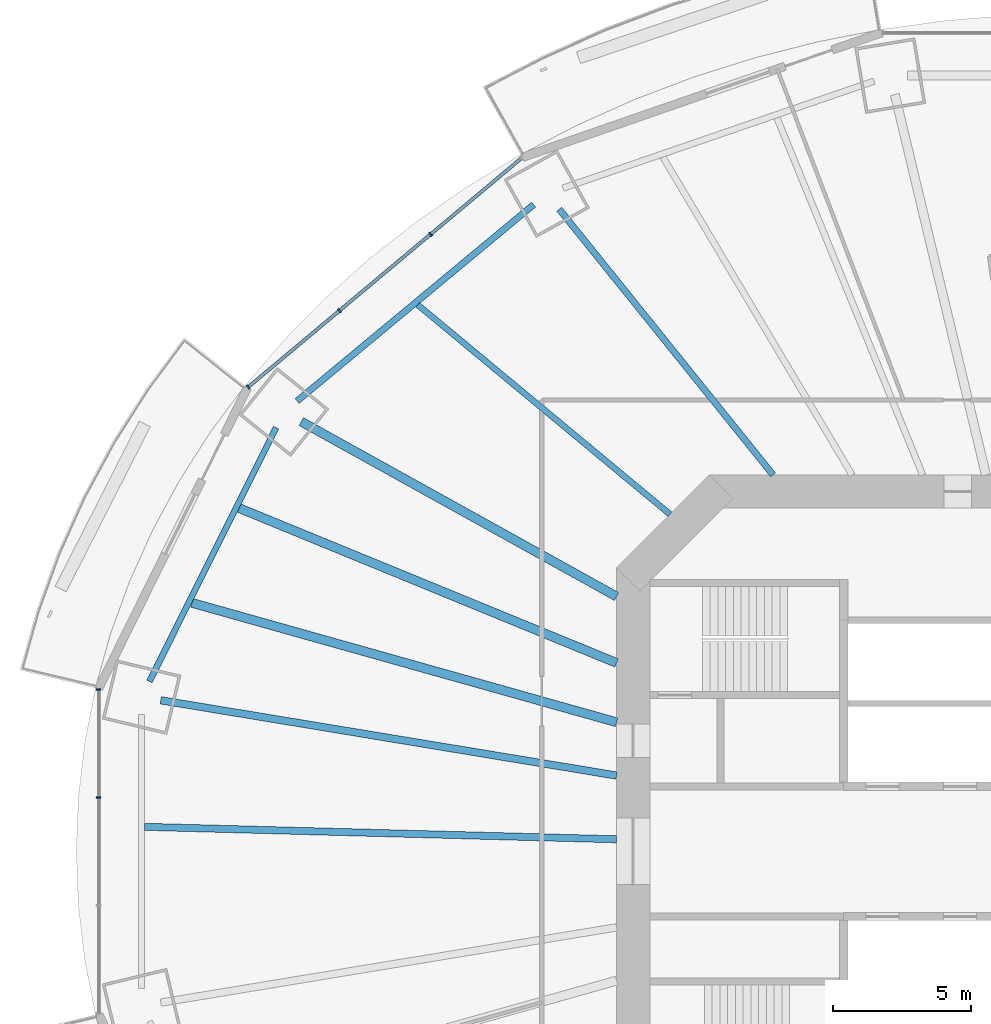
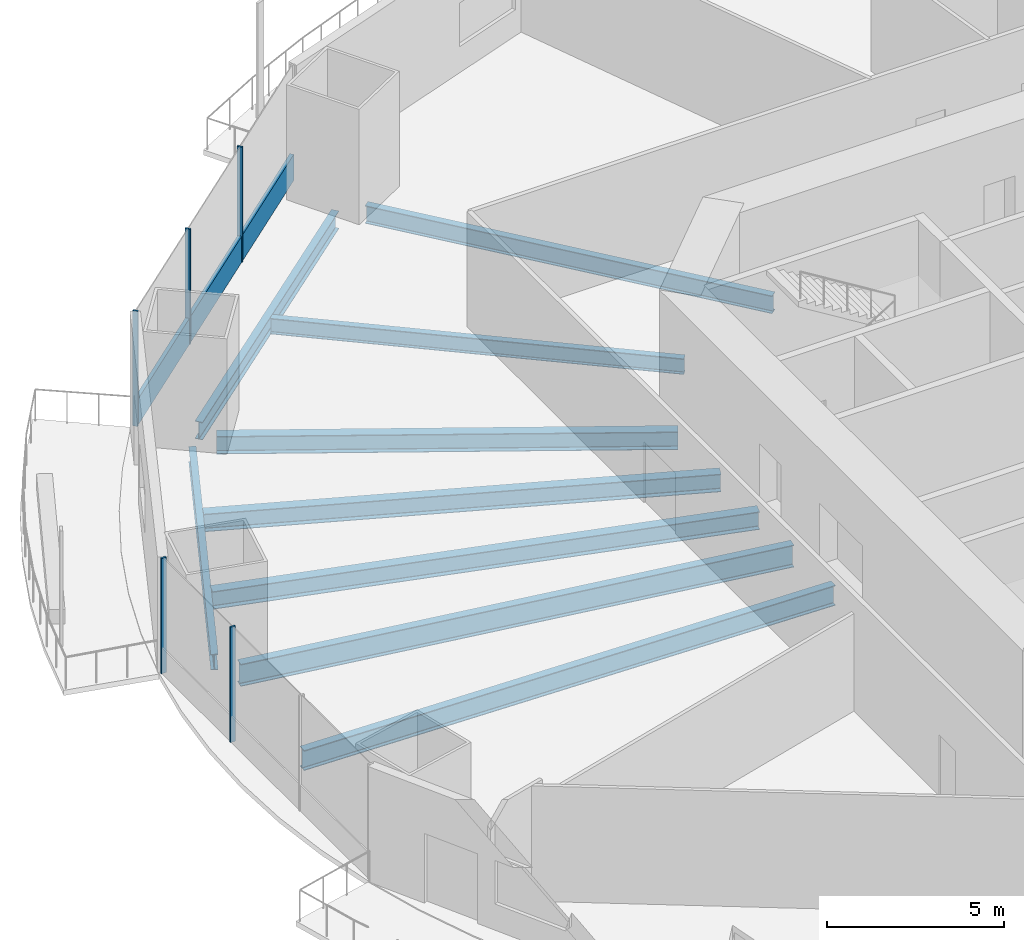
# One storey, part 6 of 23: 9 beams, 6 members, 2 elements without a shape of their own.
"""IFC4 building model written with IfcOpenShell, lengths in metres."""

from ifc_helpers import new_model, si_unit, direction, frame, origin, origin_2d, place, context, subcontext, project, spatial, rectangle, i_section, extrude, material, material_profile, profile_set, type_object, element, aggregate, save


model = new_model("IFC4")

# Units and contexts
model_context = context("Model", 3, precision=1e-05, world=origin(), true_north=direction((0.0, 1.0)))
body_context = subcontext(model_context, "Body", "Model", "MODEL_VIEW")
ifc_project = project(units=[si_unit("LENGTHUNIT", "METRE"), si_unit("AREAUNIT", "SQUARE_METRE"), si_unit("VOLUMEUNIT", "CUBIC_METRE"), si_unit("PLANEANGLEUNIT", "RADIAN"), si_unit("MASSUNIT", "GRAM", prefix="KILO")], contexts=[model_context])

# Site, building, storey
site_placement = place(None, origin())
site = spatial("IfcSite", under=ifc_project, at=site_placement, CompositionType="ELEMENT")
building_placement = place(site_placement, origin())
building = spatial("IfcBuilding", under=site, at=building_placement, Name="Marenthal Gate Tower", CompositionType="ELEMENT")
storey_placement = place(building_placement, frame((0.0, 0.0, 66.199951171875)))
storey = spatial("IfcBuildingStorey", under=building, at=storey_placement, Name="L12", CompositionType="ELEMENT", Elevation=66.199951171875)

# Curtain wall, members
ifc_material_1 = material(Name="Aluminium and glass", Category="aluminium")
curtain_wall_type = type_object("IfcCurtainWallType", Name="Curtain wall typical low", PredefinedType="NOTDEFINED", material=ifc_material_1)
curtain_wall_1_placement = place(storey_placement, origin())
curtain_wall_1 = element("IfcCurtainWall", 1, at=curtain_wall_1_placement, inside=storey, type_object=curtain_wall_type, Name="Curtain wall L12 bay 6", PredefinedType="NOTDEFINED")
ifc_material_2 = material(Name="Aluminium", Category="aluminium")
ifc_material_profile_1 = material_profile(ifc_material_2, rectangle(XDim=0.159912109375, YDim=0.06005859375, at=origin_2d()), Name="60x160 aluminium mullion")
ifc_profile_set_1 = profile_set([ifc_material_profile_1], Name="Aluminium")
member_type_1 = type_object("IfcMemberType", Name="Mullion 60x160 typical low", PredefinedType="MULLION", material=ifc_profile_set_1)
member_1_placement = place(storey_placement, frame((-23.315673828125, 22.288818359375, 0.0), z_axis=(0.0, 0.0, 1.0), x_axis=(0.642111737517, -0.766611059497, 0.0)))
member_1 = element("IfcMember", 2, at=member_1_placement, type_object=member_type_1, Name="Mullion L12 bay 6.2", PredefinedType="MULLION", context=body_context, shape_type="SweptSolid", body=[
    extrude(rectangle(XDim=0.159912109375, YDim=0.06005859375, at=origin_2d()), origin(), (0.0, 0.0, 1.0), 3.969970703125),
])
member_2_placement = place(storey_placement, frame((-26.61083984375, 19.529052734375, 0.0), z_axis=(0.0, 0.0, 1.0), x_axis=(0.642111737517, -0.766611059497, 0.0)))
member_2 = element("IfcMember", 3, at=member_2_placement, type_object=member_type_1, Name="Mullion L12 bay 6.3", PredefinedType="MULLION", context=body_context, shape_type="SweptSolid", body=[
    extrude(rectangle(XDim=0.159912109375, YDim=0.06005859375, at=origin_2d()), origin(), (0.0, 0.0, 1.0), 3.969970703125),
])
member_3_placement = place(storey_placement, frame((-29.90576171875, 16.76904296875, 0.0), z_axis=(0.0, 0.0, 1.0), x_axis=(0.642111737517, -0.766611059497, 0.0)))
member_3 = element("IfcMember", 4, at=member_3_placement, type_object=member_type_1, Name="Mullion L12 bay 6.4", PredefinedType="MULLION", context=body_context, shape_type="SweptSolid", body=[
    extrude(rectangle(XDim=0.159912109375, YDim=0.06005859375, at=origin_2d()), origin(), (0.0, 0.0, 1.0), 3.969970703125),
])

curtain_wall_2_placement = place(storey_placement, origin())
curtain_wall_2 = element("IfcCurtainWall", 5, at=curtain_wall_2_placement, inside=storey, type_object=curtain_wall_type, Name="Curtain wall L12 bay 8", PredefinedType="NOTDEFINED")
member_4_placement = place(storey_placement, frame((-35.303466796875, 5.851806640625, 0.0), z_axis=(0.0, 0.0, 1.0), x_axis=(1.0, 0.0, 0.0)))
member_4 = element("IfcMember", 6, at=member_4_placement, type_object=member_type_1, Name="Mullion L12 bay 8.1", PredefinedType="MULLION", context=body_context, shape_type="SweptSolid", body=[
    extrude(rectangle(XDim=0.159912109375, YDim=0.06005859375, at=origin_2d()), origin(), (0.0, 0.0, 1.0), 3.969970703125),
])
member_5_placement = place(storey_placement, frame((-35.303466796875, 1.95068359375, 0.0), z_axis=(0.0, 0.0, 1.0), x_axis=(1.0, 0.0, 0.0)))
member_5 = element("IfcMember", 7, at=member_5_placement, type_object=member_type_1, Name="Mullion L12 bay 8.2", PredefinedType="MULLION", context=body_context, shape_type="SweptSolid", body=[
    extrude(rectangle(XDim=0.159912109375, YDim=0.06005859375, at=origin_2d()), origin(), (0.0, 0.0, 1.0), 3.969970703125),
])
aggregate(curtain_wall_2, [member_4, member_5])

# Member
ifc_material_3 = material(Name="Aluminium", Category="aluminium")
ifc_material_profile_2 = material_profile(ifc_material_3, rectangle(XDim=0.1201171875, YDim=0.89990234375, at=origin_2d()), Name="120x900 aluminium transom")
ifc_profile_set_2 = profile_set([ifc_material_profile_2], Name="Aluminium")
member_type_2 = type_object("IfcMemberType", Name="Transom 120x900 typical low", PredefinedType="USERDEFINED", material=ifc_profile_set_2)
member_6_placement = place(storey_placement, frame((-20.043701171875, 25.029541015625, 0.449951171875), z_axis=(-0.766611330769, -0.642111413648, 0.0), x_axis=(0.642111413648, -0.766611330769, 0.0)))
member_6 = element("IfcMember", 8, at=member_6_placement, type_object=member_type_2, Name="Transom L12 bay 6", ObjectType="TRANSOM", PredefinedType="USERDEFINED", context=body_context, shape_type="SweptSolid", body=[
    extrude(rectangle(XDim=0.1201171875, YDim=0.89990234375, at=origin_2d()), origin(), (0.0, 0.0, 1.0), 12.83447265625),
])

aggregate(curtain_wall_1, [member_1, member_2, member_3, member_6])

# Beams
ifc_material_4 = material(Name="Steel S355", Category="steel")
ifc_material_profile_3 = material_profile(ifc_material_4, i_section(OverallWidth=0.2119140625, OverallDepth=0.5439453125, WebThickness=0.01318359375, FlangeThickness=0.021240234375, FilletRadius=0.0126953125, at=origin_2d()), Name="W530X123")
ifc_profile_set_3 = profile_set([ifc_material_profile_3], Name="Steel S355")
beam_type_1 = type_object("IfcBeamType", Name="W530X123 beam", PredefinedType="BEAM", material=ifc_profile_set_3)
beam_1_placement = place(storey_placement, frame((-23.77783203125, 19.73876953125, -0.451904296875), z_axis=(0.769432069778, -0.638728651304, 0.0), x_axis=(0.638728651304, 0.769432069778, 0.0)))
element("IfcBeam", 9, at=beam_1_placement, inside=storey, type_object=beam_type_1, Name="BM-L12-25", PredefinedType="BEAM", context=body_context, shape_type="SweptSolid", body=[
    extrude(i_section(OverallWidth=0.2119140625, OverallDepth=0.5439453125, WebThickness=0.01318359375, FlangeThickness=0.021240234375, FilletRadius=0.0126953125, at=origin_2d()), origin(), (0.0, 0.0, 1.0), 11.8369140625),
])
beam_2_placement = place(storey_placement, frame((-28.894287109375, 15.31201171875, -0.451904296875), z_axis=(-0.446499206551, -0.894784028998, 0.0), x_axis=(0.894784028998, -0.446499206551, 0.0)))
element("IfcBeam", 10, at=beam_2_placement, inside=storey, type_object=beam_type_1, Name="BM-L12-47", PredefinedType="BEAM", context=body_context, shape_type="SweptSolid", body=[
    extrude(i_section(OverallWidth=0.2119140625, OverallDepth=0.5439453125, WebThickness=0.01318359375, FlangeThickness=0.021240234375, FilletRadius=0.0126953125, at=origin_2d()), origin(), (0.0, 0.0, 1.0), 10.25439453125),
])
ifc_material_5 = material(Name="Steel S355", Category="steel")
ifc_material_profile_4 = material_profile(ifc_material_5, i_section(OverallWidth=0.22900390625, OverallDepth=0.612060546875, WebThickness=0.011962890625, FlangeThickness=0.01953125, FilletRadius=0.0126953125, at=origin_2d()), Name="W610X125")
ifc_profile_set_4 = profile_set([ifc_material_profile_4], Name="Steel S355")
beam_type_2 = type_object("IfcBeamType", Name="W610X125 beam", PredefinedType="BEAM", material=ifc_profile_set_4)
beam_3_placement = place(storey_placement, frame((-18.669921875, 23.195068359375, -0.48583984375), z_axis=(0.62702730147, -0.778997280618, 0.0), x_axis=(0.778997280618, 0.62702730147, 0.0)))
element("IfcBeam", 11, at=beam_3_placement, inside=storey, type_object=beam_type_2, Name="BM-L12-06", PredefinedType="BEAM", context=body_context, shape_type="SweptSolid", body=[
    extrude(i_section(OverallWidth=0.22900390625, OverallDepth=0.612060546875, WebThickness=0.011962890625, FlangeThickness=0.01953125, FilletRadius=0.0126953125, at=origin_2d()), origin(), (0.0, 0.0, 1.0), 12.317138671875),
])
beam_4_placement = place(storey_placement, frame((-19.596435546875, 23.358642578125, -0.48583984375), z_axis=(-0.769424366687, -0.63873793057, 0.0), x_axis=(0.63873793057, -0.769424366687, 0.0)))
element("IfcBeam", 12, at=beam_4_placement, inside=storey, type_object=beam_type_2, Name="BM-L12-46", PredefinedType="BEAM", context=body_context, shape_type="SweptSolid", body=[
    extrude(i_section(OverallWidth=0.22900390625, OverallDepth=0.612060546875, WebThickness=0.011962890625, FlangeThickness=0.01953125, FilletRadius=0.0126953125, at=origin_2d()), origin(), (0.0, 0.0, 1.0), 11.0986328125),
])
ifc_material_6 = material(Name="Steel S355", Category="steel")
ifc_material_profile_5 = material_profile(ifc_material_6, i_section(OverallWidth=0.324951171875, OverallDepth=0.612060546875, WebThickness=0.0126953125, FlangeThickness=0.01904296875, FilletRadius=0.0126953125, at=origin_2d()), Name="W610X155")
ifc_profile_set_5 = profile_set([ifc_material_profile_5], Name="Steel S355")
beam_type_3 = type_object("IfcBeamType", Name="W610X155 beam", PredefinedType="BEAM", material=ifc_profile_set_5)
beam_5_placement = place(storey_placement, frame((-27.9873046875, 15.52392578125, -0.48583984375), z_axis=(0.874477229212, -0.485066568204, 0.0), x_axis=(0.485066568204, 0.874477229212, 0.0)))
element("IfcBeam", 13, at=beam_5_placement, inside=storey, type_object=beam_type_3, Name="BM-L12-07", PredefinedType="BEAM", context=body_context, shape_type="SweptSolid", body=[
    extrude(i_section(OverallWidth=0.324951171875, OverallDepth=0.612060546875, WebThickness=0.0126953125, FlangeThickness=0.01904296875, FilletRadius=0.0126953125, at=origin_2d()), origin(), (0.0, 0.0, 1.0), 13.021728515625),
])
beam_6_placement = place(storey_placement, frame((-30.2294921875, 12.39892578125, -0.48583984375), z_axis=(0.925197564596, -0.379485792178, 0.0), x_axis=(0.379485792178, 0.925197564596, 0.0)))
element("IfcBeam", 14, at=beam_6_placement, inside=storey, type_object=beam_type_3, Name="BM-L12-26", PredefinedType="BEAM", context=body_context, shape_type="SweptSolid", body=[
    extrude(i_section(OverallWidth=0.324951171875, OverallDepth=0.612060546875, WebThickness=0.0126953125, FlangeThickness=0.01904296875, FilletRadius=0.0126953125, at=origin_2d()), origin(), (0.0, 0.0, 1.0), 14.7314453125),
])
beam_7_placement = place(storey_placement, frame((-31.93701171875, 8.977294921875, -0.48583984375), z_axis=(0.962687377479, -0.270615988521, 0.0), x_axis=(0.270615988521, 0.962687377479, 0.0)))
element("IfcBeam", 15, at=beam_7_placement, inside=storey, type_object=beam_type_3, Name="BM-L12-27", PredefinedType="BEAM", context=body_context, shape_type="SweptSolid", body=[
    extrude(i_section(OverallWidth=0.324951171875, OverallDepth=0.612060546875, WebThickness=0.0126953125, FlangeThickness=0.01904296875, FilletRadius=0.0126953125, at=origin_2d()), origin(), (0.0, 0.0, 1.0), 15.931396484375),
])
ifc_material_7 = material(Name="Steel S355", Category="steel")
ifc_material_profile_6 = material_profile(ifc_material_7, i_section(OverallWidth=0.257080078125, OverallDepth=0.693115234375, WebThickness=0.014404296875, FlangeThickness=0.023681640625, FilletRadius=0.015380859375, at=origin_2d()), Name="W690X170")
ifc_profile_set_6 = profile_set([ifc_material_profile_6], Name="Steel S355")
beam_type_4 = type_object("IfcBeamType", Name="W690X170 beam", PredefinedType="BEAM", material=ifc_profile_set_6)
beam_8_placement = place(storey_placement, frame((-33.647705078125, 0.888916015625, -0.5263671875), z_axis=(0.999651487797, -0.026398919379, 0.0), x_axis=(0.026398919379, 0.999651487797, 0.0)))
element("IfcBeam", 16, at=beam_8_placement, inside=storey, type_object=beam_type_4, Name="BM-L12-28", PredefinedType="BEAM", context=body_context, shape_type="SweptSolid", body=[
    extrude(i_section(OverallWidth=0.257080078125, OverallDepth=0.693115234375, WebThickness=0.014404296875, FlangeThickness=0.023681640625, FilletRadius=0.015380859375, at=origin_2d()), origin(), (0.0, 0.0, 1.0), 17.053466796875),
])
ifc_material_8 = material(Name="Steel S355", Category="steel")
ifc_material_profile_7 = material_profile(ifc_material_8, i_section(OverallWidth=0.26708984375, OverallDepth=0.761962890625, WebThickness=0.014404296875, FlangeThickness=0.021484375, FilletRadius=0.0166015625, at=origin_2d()), Name="W760X173")
ifc_profile_set_7 = profile_set([ifc_material_profile_7], Name="Steel S355")
beam_type_5 = type_object("IfcBeamType", Name="W760X173 beam", PredefinedType="BEAM", material=ifc_profile_set_7)
beam_9_placement = place(storey_placement, frame((-33.06005859375, 5.458984375, -0.56103515625), z_axis=(0.986638832435, -0.16292272503, 0.0), x_axis=(0.16292272503, 0.986638832435, 0.0)))
element("IfcBeam", 17, at=beam_9_placement, inside=storey, type_object=beam_type_5, Name="BM-L12-08", PredefinedType="BEAM", context=body_context, shape_type="SweptSolid", body=[
    extrude(i_section(OverallWidth=0.26708984375, OverallDepth=0.761962890625, WebThickness=0.014404296875, FlangeThickness=0.021484375, FilletRadius=0.0166015625, at=origin_2d()), origin(), (0.0, 0.0, 1.0), 16.682861328125),
])

save(model, "model.ifc")
